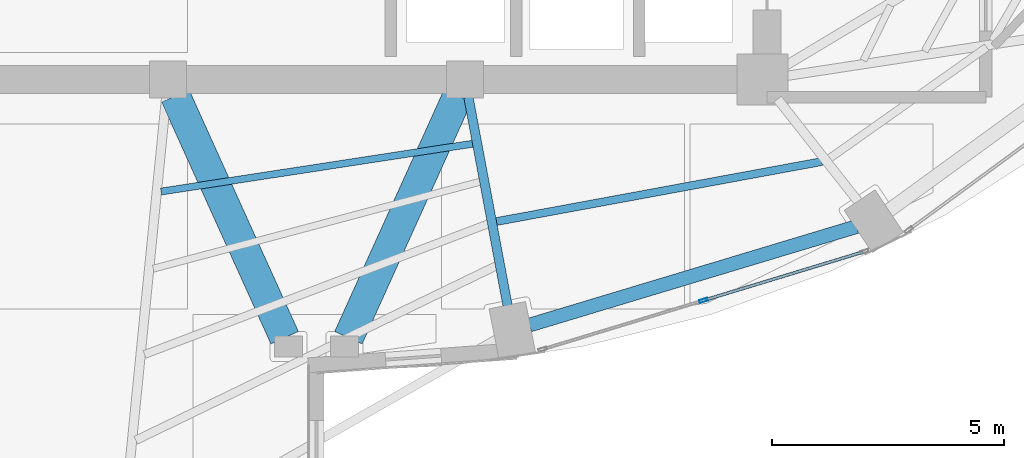
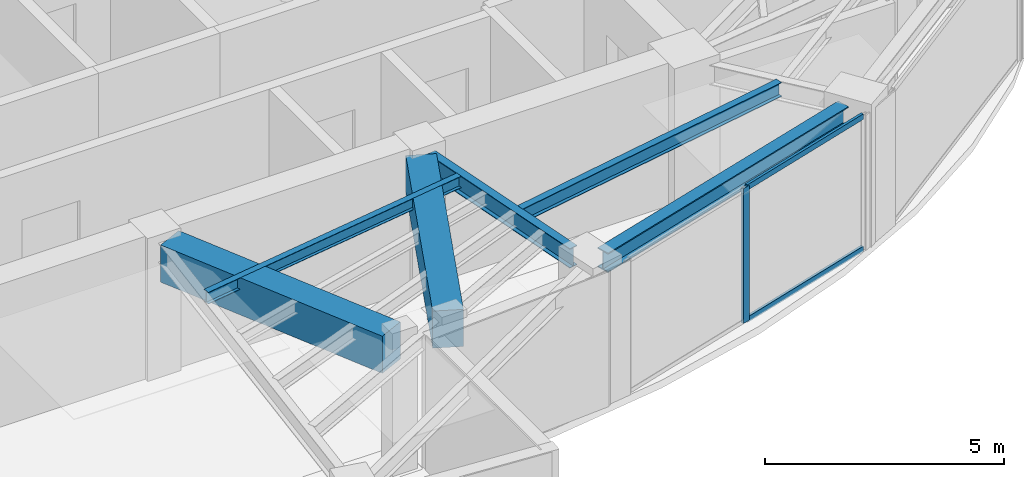
# One storey, part 5 of 21: 6 beams, 3 members, 1 element without a shape of its own.
"""IFC4 building model written with IfcOpenShell, lengths in metres."""

from ifc_helpers import new_model, si_unit, direction, frame, origin, origin_2d, place, context, subcontext, project, spatial, rectangle, hollow_rectangle, i_section, extrude, material, layer, layer_set, material_profile, profile_set, type_object, element, aggregate, save


model = new_model("IFC4")

# Units and contexts
model_context = context("Model", 3, precision=1e-05, world=origin(), true_north=direction((0.0, 1.0)))
body_context = subcontext(model_context, "Body", "Model", "MODEL_VIEW")
ifc_project = project(units=[si_unit("LENGTHUNIT", "METRE"), si_unit("AREAUNIT", "SQUARE_METRE"), si_unit("VOLUMEUNIT", "CUBIC_METRE"), si_unit("PLANEANGLEUNIT", "RADIAN"), si_unit("MASSUNIT", "GRAM", prefix="KILO")], contexts=[model_context])

# Site, building, storey
site_placement = place(None, origin())
site = spatial("IfcSite", under=ifc_project, at=site_placement, CompositionType="ELEMENT")
building_placement = place(site_placement, origin())
building = spatial("IfcBuilding", under=site, at=building_placement, Name="Lazwardi Medical Tower", CompositionType="ELEMENT")
storey_placement = place(building_placement, frame((0.0, 0.0, 220.367919921875)))
storey = spatial("IfcBuildingStorey", under=building, at=storey_placement, Name="L57", CompositionType="ELEMENT", Elevation=220.367919921875)

# Beams
ifc_material_1 = material(Name="Concrete C60/75", Category="concrete")
ifc_material_profile_1 = material_profile(ifc_material_1, rectangle(XDim=0.64990234375, YDim=0.949951171875, at=origin_2d()), Name="RC 650x950")
ifc_profile_set_1 = profile_set([ifc_material_profile_1], Name="Concrete C60/75")
beam_type_1 = type_object("IfcBeamType", Name="BM-CB-RC2", PredefinedType="LINTEL", material=ifc_profile_set_1)
for number, where, z_axis, x_axis, name in (
    (1, (32.95849609375, 20.04931640625, 2.97314453125), (0.412019279944, -0.911175127489, 0.0), (0.911175127489, 0.412019279944, 0.0), "Core coupling lintel CB-02 PL3 L57"),
    (2, (39.04150390625, 20.04931640625, 2.97314453125), (-0.412019279944, -0.911175127489, 0.0), (0.911175127489, -0.412019279944, 0.0), "Core coupling lintel CB-02 PL4 L57"),
):
    element("IfcBeam", number, at=place(storey_placement, frame(where, z_axis=z_axis, x_axis=x_axis)), inside=storey, type_object=beam_type_1, Name=name, PredefinedType="LINTEL", context=body_context, shape_type="SweptSolid", body=[
        extrude(rectangle(XDim=0.64990234375, YDim=0.949951171875, at=origin_2d()), origin(), (0.0, 0.0, 1.0), 5.7158203125),
    ])
ifc_material_2 = material(Name="Steel S355", Category="steel")
ifc_material_profile_2 = material_profile(ifc_material_2, i_section(OverallWidth=0.300048828125, OverallDepth=0.5, WebThickness=0.014404296875, FlangeThickness=0.028076171875, at=origin_2d()), Name="HEB 500")
ifc_profile_set_2 = profile_set([ifc_material_profile_2], Name="Steel S355")
beam_type_2 = type_object("IfcBeamType", Name="BM-RB-Z4", PredefinedType="BEAM", material=ifc_profile_set_2)
beam_1_placement = place(storey_placement, frame((40.58740234375, 15.114013671875, 3.197998046875), z_axis=(0.957544311906, 0.288286126506, 0.0), x_axis=(-0.288286126506, 0.957544311906, 0.0)))
element("IfcBeam", 3, at=beam_1_placement, inside=storey, type_object=beam_type_2, Name="Ring beam RB-05 B01 L57", PredefinedType="BEAM", context=body_context, shape_type="SweptSolid", body=[
    extrude(i_section(OverallWidth=0.300048828125, OverallDepth=0.5, WebThickness=0.014404296875, FlangeThickness=0.028076171875, at=origin_2d()), origin(), (0.0, 0.0, 1.0), 7.3515625),
])
ifc_material_profile_3 = material_profile(ifc_material_2, i_section(OverallWidth=0.199951171875, OverallDepth=0.5, WebThickness=0.01025390625, FlangeThickness=0.01611328125, at=origin_2d()), Name="IPE 500")
ifc_profile_set_3 = profile_set([ifc_material_profile_3], Name="Steel S355")
beam_type_3 = type_object("IfcBeamType", Name="BM-RG-W3", PredefinedType="BEAM", material=ifc_profile_set_3)
beam_2_placement = place(storey_placement, frame((40.115234375, 15.527587890625, 3.197998046875), z_axis=(-0.184633463507, 0.982807450192, 0.0), x_axis=(-0.982807450192, -0.184633463507, 0.0)))
element("IfcBeam", 4, at=beam_2_placement, inside=storey, type_object=beam_type_3, Name="Radial girder RG-04 R01 L57", PredefinedType="BEAM", context=body_context, shape_type="SweptSolid", body=[
    extrude(i_section(OverallWidth=0.199951171875, OverallDepth=0.5, WebThickness=0.01025390625, FlangeThickness=0.01611328125, at=origin_2d()), origin(), (0.0, 0.0, 1.0), 4.572509765625),
])
ifc_material_profile_4 = material_profile(ifc_material_2, i_section(OverallWidth=0.169921875, OverallDepth=0.360107421875, WebThickness=0.008056640625, FlangeThickness=0.0126953125, at=origin_2d()), Name="IPE 360")
ifc_profile_set_4 = profile_set([ifc_material_profile_4], Name="Steel S355")
beam_type_4 = type_object("IfcBeamType", Name="BM-SJ-02", PredefinedType="JOIST", material=ifc_profile_set_4)
beam_3_placement = place(storey_placement, frame((39.87109375, 17.34228515625, 3.26806640625), z_axis=(0.983427965623, 0.181299300688, 0.0), x_axis=(-0.181299300688, 0.983427965623, 0.0)))
element("IfcBeam", 5, at=beam_3_placement, inside=storey, type_object=beam_type_4, Name="Secondary joist SJ-02 R2 B01 L57", PredefinedType="JOIST", context=body_context, shape_type="SweptSolid", body=[
    extrude(i_section(OverallWidth=0.169921875, OverallDepth=0.360107421875, WebThickness=0.008056640625, FlangeThickness=0.0126953125, at=origin_2d()), origin(), (0.0, 0.0, 1.0), 7.127685546875),
])
ifc_material_profile_5 = material_profile(ifc_material_2, i_section(OverallWidth=0.14990234375, OverallDepth=0.300048828125, WebThickness=0.007080078125, FlangeThickness=0.0107421875, at=origin_2d()), Name="IPE 300")
ifc_profile_set_5 = profile_set([ifc_material_profile_5], Name="Steel S355")
beam_type_5 = type_object("IfcBeamType", Name="BM-SJ-03", PredefinedType="JOIST", material=ifc_profile_set_5)
beam_4_placement = place(storey_placement, frame((32.652587890625, 17.989013671875, 3.298095703125), z_axis=(0.988433562862, 0.151654514629, 0.0), x_axis=(-0.151654514629, 0.988433562862, 0.0)))
element("IfcBeam", 6, at=beam_4_placement, inside=storey, type_object=beam_type_5, Name="Secondary joist SJ-03 R4 B16 L57", PredefinedType="JOIST", context=body_context, shape_type="SweptSolid", body=[
    extrude(i_section(OverallWidth=0.14990234375, OverallDepth=0.300048828125, WebThickness=0.007080078125, FlangeThickness=0.0107421875, at=origin_2d()), origin(), (0.0, 0.0, 1.0), 6.788818359375),
])

# Curtain wall, members
ifc_material_3 = material(Name="Anodised bronze aluminium and solar control glazing", Category="aluminium")
ifc_layer = layer(ifc_material_3, 0.18994140625)
ifc_layer_set = layer_set([ifc_layer], Name="Anodised bronze aluminium and solar control glazing")
curtain_wall_type = type_object("IfcCurtainWallType", Name="CW-SYS-04", PredefinedType="NOTDEFINED", material=ifc_layer_set)
curtain_wall_placement = place(storey_placement, origin())
curtain_wall = element("IfcCurtainWall", 7, at=curtain_wall_placement, inside=storey, type_object=curtain_wall_type, Name="L57 Unitised bronze curtain wall CW-04", PredefinedType="NOTDEFINED")
ifc_material_4 = material(Name="Anodised bronze aluminium", Category="aluminium")
ifc_material_profile_6 = material_profile(ifc_material_4, hollow_rectangle(XDim=0.06494140625, YDim=0.179931640625, WallThickness=0.00390625, at=origin_2d()), Name="ALU-MULLION 180x65x4")
ifc_profile_set_6 = profile_set([ifc_material_profile_6], Name="Anodised bronze aluminium")
member_type_1 = type_object("IfcMemberType", Name="CW-MUL-03", PredefinedType="MULLION", material=ifc_profile_set_6)
member_1_placement = place(storey_placement, frame((44.33642578125, 15.644775390625, 0.0), z_axis=(0.0, 0.0, 1.0), x_axis=(-0.290581889515, 0.956850126972, 0.0)))
member_1 = element("IfcMember", 8, at=member_1_placement, type_object=member_type_1, Name="CW-04 mullion 2", PredefinedType="MULLION", context=body_context, shape_type="SweptSolid", body=[
    extrude(hollow_rectangle(XDim=0.06494140625, YDim=0.179931640625, WallThickness=0.00390625, at=origin_2d()), origin(), (0.0, 0.0, 1.0), 3.447998046875),
])
ifc_material_profile_7 = material_profile(ifc_material_4, hollow_rectangle(XDim=0.06494140625, YDim=0.139892578125, WallThickness=0.00341796875, at=origin_2d()), Name="ALU-TRANSOM 140x65x3.5")
ifc_profile_set_7 = profile_set([ifc_material_profile_7], Name="Anodised bronze aluminium")
member_type_2 = type_object("IfcMemberType", Name="CW-TRN-03", PredefinedType="USERDEFINED", material=ifc_profile_set_7)
member_2_placement = place(storey_placement, frame((44.367431640625, 15.654052734375, 0.032470703125), z_axis=(0.956843409009, 0.290604010015, 0.0), x_axis=(-0.290604010015, 0.956843409009, 0.0)))
member_2 = element("IfcMember", 9, at=member_2_placement, type_object=member_type_2, Name="CW-04 transom 2.1", ObjectType="TRANSOM", PredefinedType="USERDEFINED", context=body_context, shape_type="SweptSolid", body=[
    extrude(hollow_rectangle(XDim=0.06494140625, YDim=0.139892578125, WallThickness=0.00341796875, at=origin_2d()), origin(), (0.0, 0.0, 1.0), 3.554443359375),
])
member_3_placement = place(storey_placement, frame((44.367431640625, 15.654052734375, 3.41552734375), z_axis=(0.956843409009, 0.290604010015, 0.0), x_axis=(-0.290604010015, 0.956843409009, 0.0)))
member_3 = element("IfcMember", 10, at=member_3_placement, type_object=member_type_2, Name="CW-04 transom 2.2", ObjectType="TRANSOM", PredefinedType="USERDEFINED", context=body_context, shape_type="SweptSolid", body=[
    extrude(hollow_rectangle(XDim=0.06494140625, YDim=0.139892578125, WallThickness=0.00341796875, at=origin_2d()), origin(), (0.0, 0.0, 1.0), 3.554443359375),
])
aggregate(curtain_wall, [member_1, member_2, member_3])

save(model, "model.ifc")
